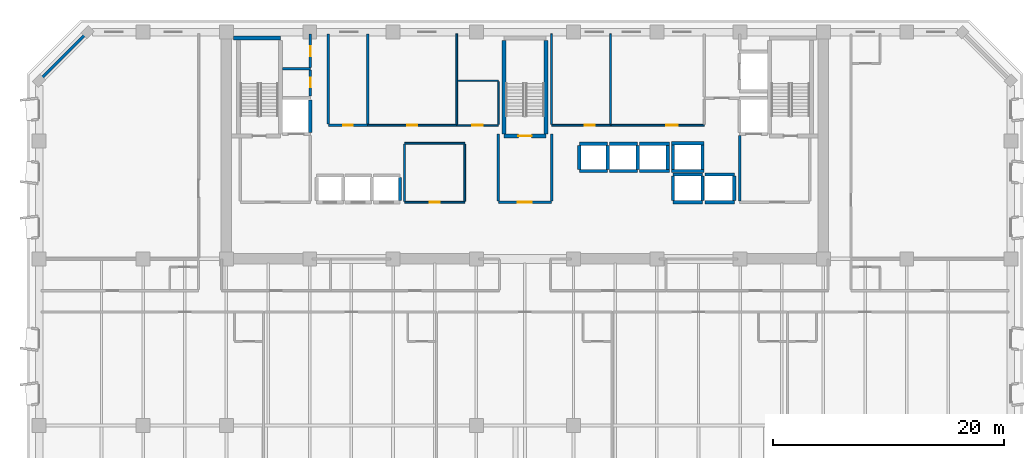
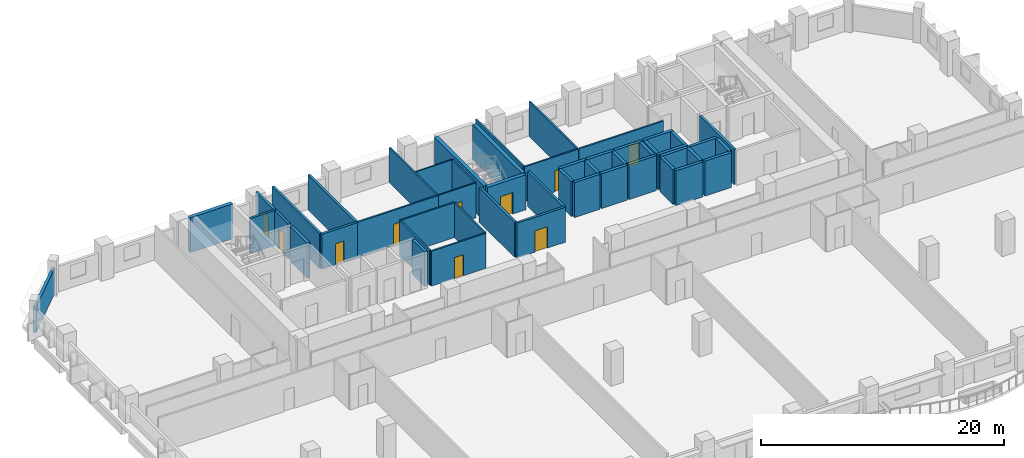
# One storey, part 7 of 14: 51 walls, 10 doors, 10 openings.
"""IFC4 building model written with IfcOpenShell, lengths in metres."""

from ifc_helpers import new_model, si_unit, direction, frame, frame_2d, origin, place, context, subcontext, project, spatial, rectangle, extrude, material, layer, layer_set, type_object, element, fill, save


model = new_model("IFC4")

# Units and contexts
model_context = context("Model", 3, precision=1e-05, world=origin(), true_north=direction((0.0, 1.0)))
body_context = subcontext(model_context, "Body", "Model", "MODEL_VIEW")
ifc_project = project(units=[si_unit("LENGTHUNIT", "METRE"), si_unit("AREAUNIT", "SQUARE_METRE"), si_unit("VOLUMEUNIT", "CUBIC_METRE"), si_unit("PLANEANGLEUNIT", "RADIAN"), si_unit("MASSUNIT", "GRAM", prefix="KILO")], contexts=[model_context])

# Site, building, storey
site_placement = place(None, origin())
site = spatial("IfcSite", under=ifc_project, at=site_placement, CompositionType="ELEMENT")
building_placement = place(site_placement, origin())
building = spatial("IfcBuilding", under=site, at=building_placement, Name="Kaelvorn Grand Hotel", CompositionType="ELEMENT")
storey_placement = place(building_placement, frame((0.0, 0.0, 126.800048828125)))
storey = spatial("IfcBuildingStorey", under=building, at=storey_placement, Name="L30", CompositionType="ELEMENT", Elevation=126.800048828125)

# Wall
ifc_material_1 = material(Name="Concrete C40/50", Category="concrete")
ifc_layer_1 = layer(ifc_material_1, 0.260009765625)
ifc_layer_set_1 = layer_set([ifc_layer_1], Name="Concrete C40/50")
wall_type_1 = type_object("IfcWallType", Name="WL-EXT-260-C40", PredefinedType="SOLIDWALL", material=ifc_layer_set_1)
wall_1_placement = place(storey_placement, frame((4.199951171875, 49.0, 0.0), z_axis=(0.0, 0.0, 1.0), x_axis=(-0.707106781187, -0.707106781187, 0.0)))
element("IfcWall", 1, at=wall_1_placement, inside=storey, type_object=wall_type_1, Name="L30 Exterior Architectural Concrete Wall 06", PredefinedType="SOLIDWALL", context=body_context, shape_type="SweptSolid", body=[
    extrude(rectangle(XDim=5.939697265625, YDim=0.260009765625, at=frame_2d((2.9697265625, 0.0))), origin(), (0.0, 0.0, 1.0), 2.56005859375),
])

# Wall, opening, door
ifc_material_2 = material(Name="Moisture-Resistant Tile & Stud Board")
ifc_layer_2 = layer(ifc_material_2, 0.125)
ifc_layer_set_2 = layer_set([ifc_layer_2], Name="Moisture-Resistant Tile & Stud Board")
wall_type_2 = type_object("IfcWallType", Name="WL-PART-125-WET", PredefinedType="PARTITIONING", material=ifc_layer_set_2)
wall_2_placement = place(storey_placement, frame((36.110107421875, 40.949951171875, 0.0), z_axis=(0.0, 0.0, 1.0), x_axis=(1.0, 0.0, 0.0)))
wall_2 = element("IfcWall", 2, at=wall_2_placement, inside=storey, type_object=wall_type_2, Name="L30 Accessible WC S Partition", PredefinedType="PARTITIONING", context=body_context, shape_type="SweptSolid", body=[
    extrude(rectangle(XDim=3.58984375, YDim=0.125, at=frame_2d((1.794921875, 0.0))), origin(), (0.0, 0.0, 1.0), 3.510009765625),
])
opening_1_placement = place(wall_2_placement, frame((1.340087890625, 0.0, 0.0)))
opening_1 = element("IfcOpeningElement", 3, at=opening_1_placement, cuts=wall_2, Name="Opening DI4", PredefinedType="OPENING", context=body_context, shape_type="SweptSolid", body=[
    extrude(rectangle(XDim=0.89990234375, YDim=2.10009765625, at=frame_2d((0.449951171875, 1.050048828125))), frame((0.0, 0.072509765625, 0.0), z_axis=(0.0, -1.0, 0.0), x_axis=(1.0, 0.0, 0.0)), (0.0, 0.0, 1.0), 0.14501953125),
])
ifc_material_3 = material(Name="Timber Veneer Leaf", Category="wood")
door_type_1 = type_object("IfcDoorType", Name="DR-INT-BATH-900x2100", OperationType="NOTDEFINED", PredefinedType="DOOR", material=ifc_material_3)
door_1_placement = place(opening_1_placement, origin())
door_1 = element("IfcDoor", 4, at=door_1_placement, inside=storey, type_object=door_type_1, Name="L30 Accessible WC Door", OperationType="SINGLE_SWING_RIGHT", OverallHeight=2.10009765625, OverallWidth=0.89990234375, PredefinedType="DOOR", context=body_context, shape_type="SweptSolid", body=[
    extrude(rectangle(XDim=0.89990234375, YDim=2.10009765625, at=frame_2d((0.449951171875, 1.050048828125))), frame((0.0, 0.02490234375, 0.0), z_axis=(0.0, -1.0, 0.0), x_axis=(1.0, 0.0, 0.0)), (0.0, 0.0, 1.0), 0.050048828125),
])
fill(opening_1, door_1)

# Walls
wall_3_placement = place(storey_placement, frame((36.179931640625, 44.800048828125, 0.0), z_axis=(0.0, 0.0, 1.0), x_axis=(1.0, 0.0, 0.0)))
element("IfcWall", 5, at=wall_3_placement, inside=storey, type_object=wall_type_2, Name="L30 Accessible WC N Partition", PredefinedType="PARTITIONING", context=body_context, shape_type="SweptSolid", body=[
    extrude(rectangle(XDim=3.52001953125, YDim=0.125, at=frame_2d((1.760009765625, 0.0))), origin(), (0.0, 0.0, 1.0), 3.510009765625),
])
wall_4_placement = place(storey_placement, frame((39.699951171875, 41.017578125, 0.0), z_axis=(0.0, 0.0, 1.0), x_axis=(0.0, 1.0, 0.0)))
element("IfcWall", 6, at=wall_4_placement, inside=storey, type_object=wall_type_2, Name="L30 Accessible WC E Partition", PredefinedType="PARTITIONING", context=body_context, shape_type="SweptSolid", body=[
    extrude(rectangle(XDim=3.71484375, YDim=0.125, at=frame_2d((1.857421875, 0.0))), origin(), (0.0, 0.0, 1.0), 3.510009765625),
])

# Wall, opening, door
ifc_material_4 = material(Name="Acoustic Gypsum & Stud Partition")
ifc_layer_3 = layer(ifc_material_4, 0.14990234375)
ifc_layer_set_3 = layer_set([ifc_layer_3], Name="Acoustic Gypsum & Stud Partition")
wall_type_3 = type_object("IfcWallType", Name="WL-PART-150-EI60", PredefinedType="PARTITIONING", material=ifc_layer_set_3)
wall_5_placement = place(storey_placement, frame((31.60009765625, 34.300048828125, 0.0), z_axis=(0.0, 0.0, 1.0), x_axis=(1.0, 0.0, 0.0)))
wall_5 = element("IfcWall", 7, at=wall_5_placement, inside=storey, type_object=wall_type_3, Name="L30 Core Telecoms & BMS Server Room S Partition", PredefinedType="PARTITIONING", context=body_context, shape_type="SweptSolid", body=[
    extrude(rectangle(XDim=5.199951171875, YDim=0.14990234375, at=frame_2d((2.60009765625, 0.0))), origin(), (0.0, 0.0, 1.0), 3.510009765625),
])
opening_2_placement = place(wall_5_placement, frame((2.175048828125, 0.0, 0.0)))
opening_2 = element("IfcOpeningElement", 8, at=opening_2_placement, cuts=wall_5, Name="Opening DI7", PredefinedType="OPENING", context=body_context, shape_type="SweptSolid", body=[
    extrude(rectangle(XDim=0.85009765625, YDim=2.10009765625, at=frame_2d((0.425048828125, 1.050048828125))), frame((0.0, 0.0849609375, 0.0), z_axis=(0.0, -1.0, 0.0), x_axis=(1.0, 0.0, 0.0)), (0.0, 0.0, 1.0), 0.169921875),
])
ifc_material_5 = material(Name="Powder-Coated Steel Leaf", Category="steel")
door_type_2 = type_object("IfcDoorType", Name="DR-INT-RISER-850x2100", OperationType="NOTDEFINED", PredefinedType="DOOR", material=ifc_material_5)
door_2_placement = place(opening_2_placement, origin())
door_2 = element("IfcDoor", 9, at=door_2_placement, inside=storey, type_object=door_type_2, Name="L30 Core Telecoms & BMS Server Room Door", OperationType="SINGLE_SWING_LEFT", OverallHeight=2.10009765625, OverallWidth=0.85009765625, PredefinedType="DOOR", context=body_context, shape_type="SweptSolid", body=[
    extrude(rectangle(XDim=0.85009765625, YDim=2.10009765625, at=frame_2d((0.425048828125, 1.050048828125))), frame((0.0, 0.02490234375, 0.0), z_axis=(0.0, -1.0, 0.0), x_axis=(1.0, 0.0, 0.0)), (0.0, 0.0, 1.0), 0.050048828125),
])
fill(opening_2, door_2)

# Walls
wall_6_placement = place(storey_placement, frame((31.60009765625, 39.39990234375, 0.0), z_axis=(0.0, 0.0, 1.0), x_axis=(1.0, 0.0, 0.0)))
element("IfcWall", 10, at=wall_6_placement, inside=storey, type_object=wall_type_3, Name="L30 Core Telecoms & BMS Server Room N Partition", PredefinedType="PARTITIONING", context=body_context, shape_type="SweptSolid", body=[
    extrude(rectangle(XDim=5.199951171875, YDim=0.14990234375, at=frame_2d((2.60009765625, 0.0))), origin(), (0.0, 0.0, 1.0), 3.510009765625),
])
for number, where, z_axis, x_axis, name in (
    (11, (31.60009765625, 34.3798828125, 0.0), (0.0, 0.0, 1.0), (0.0, 1.0, 0.0), "L30 Core Telecoms & BMS Server Room W Partition"),
    (12, (36.800048828125, 34.3798828125, 0.0), (0.0, 0.0, 1.0), (0.0, 1.0, 0.0), "L30 Core Telecoms & BMS Server Room E Partition"),
):
    element("IfcWall", number, at=place(storey_placement, frame(where, z_axis=z_axis, x_axis=x_axis)), inside=storey, type_object=wall_type_3, Name=name, PredefinedType="PARTITIONING", context=body_context, shape_type="SweptSolid", body=[
        extrude(rectangle(XDim=4.940185546875, YDim=0.14990234375, at=frame_2d((2.47021484375, 0.0))), origin(), (0.0, 0.0, 1.0), 3.510009765625),
    ])

# Wall, opening, door
wall_7_placement = place(storey_placement, frame((28.409912109375, 40.949951171875, 0.0), z_axis=(0.0, 0.0, 1.0), x_axis=(1.0, 0.0, 0.0)))
wall_7 = element("IfcWall", 13, at=wall_7_placement, inside=storey, type_object=wall_type_3, Name="L30 Housekeeping & Linen Room S Partition", PredefinedType="PARTITIONING", context=body_context, shape_type="SweptSolid", body=[
    extrude(rectangle(XDim=7.690185546875, YDim=0.14990234375, at=frame_2d((3.84521484375, 0.0))), origin(), (0.0, 0.0, 1.0), 3.510009765625),
])
opening_3_placement = place(wall_7_placement, frame((3.4150390625, 0.0, 0.0)))
opening_3 = element("IfcOpeningElement", 14, at=opening_3_placement, cuts=wall_7, Name="Opening DI7", PredefinedType="OPENING", context=body_context, shape_type="SweptSolid", body=[
    extrude(rectangle(XDim=0.85009765625, YDim=2.10009765625, at=frame_2d((0.425048828125, 1.050048828125))), frame((0.0, 0.0849609375, 0.0), z_axis=(0.0, -1.0, 0.0), x_axis=(1.0, 0.0, 0.0)), (0.0, 0.0, 1.0), 0.169921875),
])
door_3_placement = place(opening_3_placement, origin())
door_3 = element("IfcDoor", 15, at=door_3_placement, inside=storey, type_object=door_type_2, Name="L30 Housekeeping & Linen Room Door", OperationType="SINGLE_SWING_LEFT", OverallHeight=2.10009765625, OverallWidth=0.85009765625, PredefinedType="DOOR", context=body_context, shape_type="SweptSolid", body=[
    extrude(rectangle(XDim=0.85009765625, YDim=2.10009765625, at=frame_2d((0.425048828125, 1.050048828125))), frame((0.0, 0.02490234375, 0.0), z_axis=(0.0, -1.0, 0.0), x_axis=(1.0, 0.0, 0.0)), (0.0, 0.0, 1.0), 0.050048828125),
])
fill(opening_3, door_3)

# Wall
wall_8_placement = place(storey_placement, frame((36.10009765625, 41.030029296875, 0.0), z_axis=(0.0, 0.0, 1.0), x_axis=(0.0, 1.0, 0.0)))
element("IfcWall", 16, at=wall_8_placement, inside=storey, type_object=wall_type_3, Name="L30 Housekeeping & Linen Room E Partition", PredefinedType="PARTITIONING", context=body_context, shape_type="SweptSolid", body=[
    extrude(rectangle(XDim=7.820068359375, YDim=0.14990234375, at=frame_2d((3.91015625, 0.0))), origin(), (0.0, 0.0, 1.0), 3.510009765625),
])

# Wall, opening, door
wall_9_placement = place(storey_placement, frame((44.300048828125, 40.949951171875, 0.0), z_axis=(0.0, 0.0, 1.0), x_axis=(1.0, 0.0, 0.0)))
wall_9 = element("IfcWall", 17, at=wall_9_placement, inside=storey, type_object=wall_type_3, Name="L30 Laundry Chute Vestibule S Partition", PredefinedType="PARTITIONING", context=body_context, shape_type="SweptSolid", body=[
    extrude(rectangle(XDim=5.099853515625, YDim=0.14990234375, at=frame_2d((2.5498046875, 0.0))), origin(), (0.0, 0.0, 1.0), 3.510009765625),
])
opening_4_placement = place(wall_9_placement, frame((2.875, 0.0, 0.0)))
opening_4 = element("IfcOpeningElement", 18, at=opening_4_placement, cuts=wall_9, Name="Opening DI7", PredefinedType="OPENING", context=body_context, shape_type="SweptSolid", body=[
    extrude(rectangle(XDim=0.85009765625, YDim=2.10009765625, at=frame_2d((0.425048828125, 1.050048828125))), frame((0.0, 0.0849609375, 0.0), z_axis=(0.0, -1.0, 0.0), x_axis=(1.0, 0.0, 0.0)), (0.0, 0.0, 1.0), 0.169921875),
])
door_4_placement = place(opening_4_placement, origin())
door_4 = element("IfcDoor", 19, at=door_4_placement, inside=storey, type_object=door_type_2, Name="L30 Laundry Chute Vestibule Door", OperationType="SINGLE_SWING_LEFT", OverallHeight=2.10009765625, OverallWidth=0.85009765625, PredefinedType="DOOR", context=body_context, shape_type="SweptSolid", body=[
    extrude(rectangle(XDim=0.85009765625, YDim=2.10009765625, at=frame_2d((0.425048828125, 1.050048828125))), frame((0.0, 0.02490234375, 0.0), z_axis=(0.0, -1.0, 0.0), x_axis=(1.0, 0.0, 0.0)), (0.0, 0.0, 1.0), 0.050048828125),
])
fill(opening_4, door_4)

# Walls
for number, where, z_axis, x_axis, name in (
    (20, (44.300048828125, 41.030029296875, 0.0), (0.0, 0.0, 1.0), (0.0, 1.0, 0.0), "L30 Laundry Chute Vestibule W Partition"),
    (21, (49.39990234375, 41.030029296875, 0.0), (0.0, 0.0, 1.0), (0.0, 1.0, 0.0), "L30 Laundry Chute Vestibule E Partition"),
):
    element("IfcWall", number, at=place(storey_placement, frame(where, z_axis=z_axis, x_axis=x_axis)), inside=storey, type_object=wall_type_3, Name=name, PredefinedType="PARTITIONING", context=body_context, shape_type="SweptSolid", body=[
        extrude(rectangle(XDim=7.820068359375, YDim=0.14990234375, at=frame_2d((3.91015625, 0.0))), origin(), (0.0, 0.0, 1.0), 3.510009765625),
    ])

# Wall, opening, door
wall_10_placement = place(storey_placement, frame((49.47998046875, 40.949951171875, 0.0), z_axis=(0.0, 0.0, 1.0), x_axis=(1.0, 0.0, 0.0)))
wall_10 = element("IfcWall", 22, at=wall_10_placement, inside=storey, type_object=wall_type_3, Name="L30 Butler Servery Pantry S Partition", PredefinedType="PARTITIONING", context=body_context, shape_type="SweptSolid", body=[
    extrude(rectangle(XDim=8.02001953125, YDim=0.14990234375, at=frame_2d((4.010009765625, 0.0))), origin(), (0.0, 0.0, 1.0), 3.510009765625),
])
opening_5_placement = place(wall_10_placement, frame((4.719970703125, 0.0, 0.0)))
opening_5 = element("IfcOpeningElement", 23, at=opening_5_placement, cuts=wall_10, Name="Opening DI3", PredefinedType="OPENING", context=body_context, shape_type="SweptSolid", body=[
    extrude(rectangle(XDim=1.0, YDim=2.14990234375, at=frame_2d((0.5, 1.074951171875))), frame((0.0, 0.0849609375, 0.0), z_axis=(0.0, -1.0, 0.0), x_axis=(1.0, 0.0, 0.0)), (0.0, 0.0, 1.0), 0.169921875),
])
ifc_material_6 = material(Name="Timber Veneer Fire Leaf", Category="wood")
door_type_3 = type_object("IfcDoorType", Name="DR-INT-GUEST-1000x2150", OperationType="NOTDEFINED", PredefinedType="DOOR", material=ifc_material_6)
door_5_placement = place(opening_5_placement, origin())
door_5 = element("IfcDoor", 24, at=door_5_placement, inside=storey, type_object=door_type_3, Name="L30 Butler Servery Pantry Door", OperationType="SINGLE_SWING_RIGHT", OverallHeight=2.14990234375, OverallWidth=1.0, PredefinedType="DOOR", context=body_context, shape_type="SweptSolid", body=[
    extrude(rectangle(XDim=1.0, YDim=2.14990234375, at=frame_2d((0.5, 1.074951171875))), frame((0.0, 0.02490234375, 0.0), z_axis=(0.0, -1.0, 0.0), x_axis=(1.0, 0.0, 0.0)), (0.0, 0.0, 1.0), 0.050048828125),
])
fill(opening_5, door_5)

# Wall
ifc_layer_4 = layer(ifc_material_1, 0.219970703125)
ifc_layer_set_4 = layer_set([ifc_layer_4], Name="Concrete C40/50")
wall_type_4 = type_object("IfcWallType", Name="WL-PART-220-EI120", PredefinedType="PARTITIONING", material=ifc_layer_set_4)
wall_11_placement = place(storey_placement, frame((60.550048828125, 34.4150390625, 0.0), z_axis=(0.0, 0.0, 1.0), x_axis=(0.0, 1.0, 0.0)))
element("IfcWall", 25, at=wall_11_placement, inside=storey, type_object=wall_type_4, Name="L30 Firefighting Lift Lobby 2 W Partition", PredefinedType="PARTITIONING", context=body_context, shape_type="SweptSolid", body=[
    extrude(rectangle(XDim=5.639892578125, YDim=0.219970703125, at=frame_2d((2.81982421875, 0.0))), origin(), (0.0, 0.0, 1.0), 3.510009765625),
])

# Wall, opening, door
wall_12_placement = place(storey_placement, frame((39.699951171875, 34.300048828125, 0.0), z_axis=(0.0, 0.0, 1.0), x_axis=(1.0, 0.0, 0.0)))
wall_12 = element("IfcWall", 26, at=wall_12_placement, inside=storey, type_object=wall_type_4, Name="L30 Central Stair Escape Vestibule S Partition", PredefinedType="PARTITIONING", context=body_context, shape_type="SweptSolid", body=[
    extrude(rectangle(XDim=4.60009765625, YDim=0.219970703125, at=frame_2d((2.300048828125, 0.0))), origin(), (0.0, 0.0, 1.0), 3.510009765625),
])
opening_6_placement = place(wall_12_placement, frame((1.699951171875, 0.0, 0.0)))
opening_6 = element("IfcOpeningElement", 27, at=opening_6_placement, cuts=wall_12, Name="Opening DI2", PredefinedType="OPENING", context=body_context, shape_type="SweptSolid", body=[
    extrude(rectangle(XDim=1.199951171875, YDim=2.14990234375, at=frame_2d((0.60009765625, 1.074951171875))), frame((0.0, 0.1201171875, 0.0), z_axis=(0.0, -1.0, 0.0), x_axis=(1.0, 0.0, 0.0)), (0.0, 0.0, 1.0), 0.239990234375),
])
door_type_4 = type_object("IfcDoorType", Name="DR-INT-FFLOB-1200x2150", OperationType="NOTDEFINED", PredefinedType="DOOR", material=ifc_material_6)
door_6_placement = place(opening_6_placement, origin())
door_6 = element("IfcDoor", 28, at=door_6_placement, inside=storey, type_object=door_type_4, Name="L30 Central Stair Escape Vestibule Door", OperationType="SINGLE_SWING_LEFT", OverallHeight=2.14990234375, OverallWidth=1.199951171875, PredefinedType="DOOR", context=body_context, shape_type="SweptSolid", body=[
    extrude(rectangle(XDim=1.199951171875, YDim=2.14990234375, at=frame_2d((0.60009765625, 1.074951171875))), frame((0.0, 0.02490234375, 0.0), z_axis=(0.0, -1.0, 0.0), x_axis=(1.0, 0.0, 0.0)), (0.0, 0.0, 1.0), 0.050048828125),
])
fill(opening_6, door_6)

# Walls
for number, where, z_axis, x_axis, name in (
    (29, (39.699951171875, 34.4150390625, 0.0), (0.0, 0.0, 1.0), (0.0, 1.0, 0.0), "L30 Central Stair Escape Vestibule W Partition"),
    (30, (44.300048828125, 34.4150390625, 0.0), (0.0, 0.0, 1.0), (0.0, 1.0, 0.0), "L30 Central Stair Escape Vestibule E Partition"),
):
    element("IfcWall", number, at=place(storey_placement, frame(where, z_axis=z_axis, x_axis=x_axis)), inside=storey, type_object=wall_type_4, Name=name, PredefinedType="PARTITIONING", context=body_context, shape_type="SweptSolid", body=[
        extrude(rectangle(XDim=5.784912109375, YDim=0.219970703125, at=frame_2d((2.892578125, 0.0))), origin(), (0.0, 0.0, 1.0), 3.510009765625),
    ])
wall_13_placement = place(storey_placement, frame((21.034912109375, 45.85009765625, 0.0), z_axis=(0.0, 0.0, 1.0), x_axis=(1.0, 0.0, 0.0)))
element("IfcWall", 31, at=wall_13_placement, inside=storey, type_object=wall_type_4, Name="L30 Wet Fire & Plumbing Riser Shaft N Partition", PredefinedType="PARTITIONING", context=body_context, shape_type="SweptSolid", body=[
    extrude(rectangle(XDim=2.4150390625, YDim=0.219970703125, at=frame_2d((1.20751953125, 0.0))), origin(), (0.0, 0.0, 1.0), 3.510009765625),
])

# Wall, opening, door
wall_14_placement = place(storey_placement, frame((23.449951171875, 43.5, 0.0), z_axis=(0.0, 0.0, 1.0), x_axis=(0.0, 1.0, 0.0)))
wall_14 = element("IfcWall", 32, at=wall_14_placement, inside=storey, type_object=wall_type_4, Name="L30 Wet Fire & Plumbing Riser Shaft E Partition", PredefinedType="PARTITIONING", context=body_context, shape_type="SweptSolid", body=[
    extrude(rectangle(XDim=2.235107421875, YDim=0.219970703125, at=frame_2d((1.11767578125, 0.0))), origin(), (0.0, 0.0, 1.0), 3.510009765625),
])
opening_7_placement = place(wall_14_placement, frame((0.72509765625, 0.0, 0.0)))
opening_7 = element("IfcOpeningElement", 33, at=opening_7_placement, cuts=wall_14, Name="Opening DI7", PredefinedType="OPENING", context=body_context, shape_type="SweptSolid", body=[
    extrude(rectangle(XDim=0.85009765625, YDim=2.10009765625, at=frame_2d((0.425048828125, 1.050048828125))), frame((0.0, 0.1201171875, 0.0), z_axis=(0.0, -1.0, 0.0), x_axis=(1.0, 0.0, 0.0)), (0.0, 0.0, 1.0), 0.239990234375),
])
door_7_placement = place(opening_7_placement, origin())
door_7 = element("IfcDoor", 34, at=door_7_placement, inside=storey, type_object=door_type_2, Name="L30 Wet Fire & Plumbing Riser Shaft Door", OperationType="SINGLE_SWING_LEFT", OverallHeight=2.10009765625, OverallWidth=0.85009765625, PredefinedType="DOOR", context=body_context, shape_type="SweptSolid", body=[
    extrude(rectangle(XDim=0.85009765625, YDim=2.10009765625, at=frame_2d((0.425048828125, 1.050048828125))), frame((0.0, 0.02490234375, 0.0), z_axis=(0.0, -1.0, 0.0), x_axis=(1.0, 0.0, 0.0)), (0.0, 0.0, 1.0), 0.050048828125),
])
fill(opening_7, door_7)

wall_15_placement = place(storey_placement, frame((23.449951171875, 45.965087890625, 0.0), z_axis=(0.0, 0.0, 1.0), x_axis=(0.0, 1.0, 0.0)))
wall_15 = element("IfcWall", 35, at=wall_15_placement, inside=storey, type_object=wall_type_4, Name="L30 HV Electrical & Smoke Riser E Partition", PredefinedType="PARTITIONING", context=body_context, shape_type="SweptSolid", body=[
    extrude(rectangle(XDim=2.885009765625, YDim=0.219970703125, at=frame_2d((1.4423828125, 0.0))), origin(), (0.0, 0.0, 1.0), 3.510009765625),
])
opening_8_placement = place(wall_15_placement, frame((0.9599609375, 0.0, 0.0)))
opening_8 = element("IfcOpeningElement", 36, at=opening_8_placement, cuts=wall_15, Name="Opening DI7", PredefinedType="OPENING", context=body_context, shape_type="SweptSolid", body=[
    extrude(rectangle(XDim=0.85009765625, YDim=2.10009765625, at=frame_2d((0.425048828125, 1.050048828125))), frame((0.0, 0.1201171875, 0.0), z_axis=(0.0, -1.0, 0.0), x_axis=(1.0, 0.0, 0.0)), (0.0, 0.0, 1.0), 0.239990234375),
])
door_8_placement = place(opening_8_placement, origin())
door_8 = element("IfcDoor", 37, at=door_8_placement, inside=storey, type_object=door_type_2, Name="L30 HV Electrical & Smoke Riser Door", OperationType="SINGLE_SWING_RIGHT", OverallHeight=2.10009765625, OverallWidth=0.85009765625, PredefinedType="DOOR", context=body_context, shape_type="SweptSolid", body=[
    extrude(rectangle(XDim=0.85009765625, YDim=2.10009765625, at=frame_2d((0.425048828125, 1.050048828125))), frame((0.0, 0.02490234375, 0.0), z_axis=(0.0, -1.0, 0.0), x_axis=(1.0, 0.0, 0.0)), (0.0, 0.0, 1.0), 0.050048828125),
])
fill(opening_8, door_8)

wall_16_placement = place(storey_placement, frame((25.0, 40.949951171875, 0.0), z_axis=(0.0, 0.0, 1.0), x_axis=(1.0, 0.0, 0.0)))
wall_16 = element("IfcWall", 38, at=wall_16_placement, inside=storey, type_object=wall_type_4, Name="L30 Electrical Distribution Room S Partition", PredefinedType="PARTITIONING", context=body_context, shape_type="SweptSolid", body=[
    extrude(rectangle(XDim=3.39990234375, YDim=0.219970703125, at=frame_2d((1.699951171875, 0.0))), origin(), (0.0, 0.0, 1.0), 3.510009765625),
])
opening_9_placement = place(wall_16_placement, frame((1.27490234375, 0.0, 0.0)))
opening_9 = element("IfcOpeningElement", 39, at=opening_9_placement, cuts=wall_16, Name="Opening DI7", PredefinedType="OPENING", context=body_context, shape_type="SweptSolid", body=[
    extrude(rectangle(XDim=0.85009765625, YDim=2.10009765625, at=frame_2d((0.425048828125, 1.050048828125))), frame((0.0, 0.1201171875, 0.0), z_axis=(0.0, -1.0, 0.0), x_axis=(1.0, 0.0, 0.0)), (0.0, 0.0, 1.0), 0.239990234375),
])
door_9_placement = place(opening_9_placement, origin())
door_9 = element("IfcDoor", 40, at=door_9_placement, inside=storey, type_object=door_type_2, Name="L30 Electrical Distribution Room Door", OperationType="SINGLE_SWING_RIGHT", OverallHeight=2.10009765625, OverallWidth=0.85009765625, PredefinedType="DOOR", context=body_context, shape_type="SweptSolid", body=[
    extrude(rectangle(XDim=0.85009765625, YDim=2.10009765625, at=frame_2d((0.425048828125, 1.050048828125))), frame((0.0, 0.02490234375, 0.0), z_axis=(0.0, -1.0, 0.0), x_axis=(1.0, 0.0, 0.0)), (0.0, 0.0, 1.0), 0.050048828125),
])
fill(opening_9, door_9)

# Walls
for number, where, z_axis, x_axis, name in (
    (41, (25.0, 41.06494140625, 0.0), (0.0, 0.0, 1.0), (0.0, 1.0, 0.0), "L30 Electrical Distribution Room W Partition"),
    (42, (28.39990234375, 41.06494140625, 0.0), (0.0, 0.0, 1.0), (0.0, 1.0, 0.0), "L30 Electrical Distribution Room E Partition"),
):
    element("IfcWall", number, at=place(storey_placement, frame(where, z_axis=z_axis, x_axis=x_axis)), inside=storey, type_object=wall_type_4, Name=name, PredefinedType="PARTITIONING", context=body_context, shape_type="SweptSolid", body=[
        extrude(rectangle(XDim=7.78515625, YDim=0.219970703125, at=frame_2d((3.892578125, 0.0))), origin(), (0.0, 0.0, 1.0), 3.510009765625),
    ])
ifc_material_7 = material(Name="Concrete C50/60", Category="concrete")
ifc_layer_5 = layer(ifc_material_7, 0.280029296875)
ifc_layer_set_5 = layer_set([ifc_layer_5], Name="Concrete C50/60")
wall_type_5 = type_object("IfcWallType", Name="WL-SHAFT-280-C50", PredefinedType="SHEAR", material=ifc_layer_set_5)
wall_17_placement = place(storey_placement, frame((31.199951171875, 34.445068359375, 0.0), z_axis=(0.0, 0.0, 1.0), x_axis=(0.0, 1.0, 0.0)))
element("IfcWall", 43, at=wall_17_placement, inside=storey, type_object=wall_type_5, Name="L30 Lift PL-L3 Shaft East Wall", PredefinedType="SHEAR", context=body_context, shape_type="SweptSolid", body=[
    extrude(rectangle(XDim=2.010009765625, YDim=0.280029296875, at=frame_2d((1.0048828125, 0.0))), origin(), (0.0, 0.0, 1.0), 3.510009765625),
])
for number, where, z_axis, x_axis, name in (
    (44, (46.699951171875, 37.0, 0.0), (0.0, 0.0, 1.0), (1.0, 0.0, 0.0), "L30 Lift SL-1 Shaft South Wall"),
    (45, (46.699951171875, 39.35009765625, 0.0), (0.0, 0.0, 1.0), (1.0, 0.0, 0.0), "L30 Lift SL-1 Shaft North Wall"),
):
    element("IfcWall", number, at=place(storey_placement, frame(where, z_axis=z_axis, x_axis=x_axis)), inside=storey, type_object=wall_type_5, Name=name, PredefinedType="SHEAR", context=body_context, shape_type="SweptSolid", body=[
        extrude(rectangle(XDim=2.449951171875, YDim=0.280029296875, at=frame_2d((1.22509765625, 0.0))), origin(), (0.0, 0.0, 1.0), 3.510009765625),
    ])
for number, where, z_axis, x_axis, name in (
    (46, (46.699951171875, 37.14501953125, 0.0), (0.0, 0.0, 1.0), (0.0, 1.0, 0.0), "L30 Lift SL-1 Shaft West Wall"),
    (47, (49.14990234375, 37.14501953125, 0.0), (0.0, 0.0, 1.0), (0.0, 1.0, 0.0), "L30 Lift SL-1 Shaft East Wall"),
):
    element("IfcWall", number, at=place(storey_placement, frame(where, z_axis=z_axis, x_axis=x_axis)), inside=storey, type_object=wall_type_5, Name=name, PredefinedType="SHEAR", context=body_context, shape_type="SweptSolid", body=[
        extrude(rectangle(XDim=2.06005859375, YDim=0.280029296875, at=frame_2d((1.030029296875, 0.0))), origin(), (0.0, 0.0, 1.0), 3.510009765625),
    ])
for number, where, z_axis, x_axis, name in (
    (48, (49.300048828125, 37.0, 0.0), (0.0, 0.0, 1.0), (1.0, 0.0, 0.0), "L30 Lift SL-2 Shaft South Wall"),
    (49, (49.300048828125, 39.35009765625, 0.0), (0.0, 0.0, 1.0), (1.0, 0.0, 0.0), "L30 Lift SL-2 Shaft North Wall"),
):
    element("IfcWall", number, at=place(storey_placement, frame(where, z_axis=z_axis, x_axis=x_axis)), inside=storey, type_object=wall_type_5, Name=name, PredefinedType="SHEAR", context=body_context, shape_type="SweptSolid", body=[
        extrude(rectangle(XDim=2.449951171875, YDim=0.280029296875, at=frame_2d((1.22509765625, 0.0))), origin(), (0.0, 0.0, 1.0), 3.510009765625),
    ])
wall_18_placement = place(storey_placement, frame((51.75, 37.14501953125, 0.0), z_axis=(0.0, 0.0, 1.0), x_axis=(0.0, 1.0, 0.0)))
element("IfcWall", 50, at=wall_18_placement, inside=storey, type_object=wall_type_5, Name="L30 Lift SL-2 Shaft East Wall", PredefinedType="SHEAR", context=body_context, shape_type="SweptSolid", body=[
    extrude(rectangle(XDim=2.06005859375, YDim=0.280029296875, at=frame_2d((1.030029296875, 0.0))), origin(), (0.0, 0.0, 1.0), 3.510009765625),
])
for number, where, z_axis, x_axis, name in (
    (51, (51.89990234375, 37.0, 0.0), (0.0, 0.0, 1.0), (1.0, 0.0, 0.0), "L30 Lift SL-3 Shaft South Wall"),
    (52, (51.89990234375, 39.35009765625, 0.0), (0.0, 0.0, 1.0), (1.0, 0.0, 0.0), "L30 Lift SL-3 Shaft North Wall"),
):
    element("IfcWall", number, at=place(storey_placement, frame(where, z_axis=z_axis, x_axis=x_axis)), inside=storey, type_object=wall_type_5, Name=name, PredefinedType="SHEAR", context=body_context, shape_type="SweptSolid", body=[
        extrude(rectangle(XDim=2.590087890625, YDim=0.280029296875, at=frame_2d((1.294921875, 0.0))), origin(), (0.0, 0.0, 1.0), 3.510009765625),
    ])
wall_19_placement = place(storey_placement, frame((54.35009765625, 37.14501953125, 0.0), z_axis=(0.0, 0.0, 1.0), x_axis=(0.0, 1.0, 0.0)))
element("IfcWall", 53, at=wall_19_placement, inside=storey, type_object=wall_type_5, Name="L30 Lift SL-3 Shaft East Wall", PredefinedType="SHEAR", context=body_context, shape_type="SweptSolid", body=[
    extrude(rectangle(XDim=2.06005859375, YDim=0.280029296875, at=frame_2d((1.030029296875, 0.0))), origin(), (0.0, 0.0, 1.0), 3.510009765625),
])
for number, where, z_axis, x_axis, name in (
    (54, (54.800048828125, 34.300048828125, 0.0), (0.0, 0.0, 1.0), (1.0, 0.0, 0.0), "L30 Lift OL-1 Shaft South Wall"),
    (55, (54.800048828125, 36.699951171875, 0.0), (0.0, 0.0, 1.0), (1.0, 0.0, 0.0), "L30 Lift OL-1 Shaft North Wall"),
):
    element("IfcWall", number, at=place(storey_placement, frame(where, z_axis=z_axis, x_axis=x_axis)), inside=storey, type_object=wall_type_5, Name=name, PredefinedType="SHEAR", context=body_context, shape_type="SweptSolid", body=[
        extrude(rectangle(XDim=2.550048828125, YDim=0.280029296875, at=frame_2d((1.27490234375, 0.0))), origin(), (0.0, 0.0, 1.0), 3.510009765625),
    ])
for number, where, z_axis, x_axis, name in (
    (56, (54.800048828125, 34.445068359375, 0.0), (0.0, 0.0, 1.0), (0.0, 1.0, 0.0), "L30 Lift OL-1 Shaft West Wall"),
    (57, (57.35009765625, 34.445068359375, 0.0), (0.0, 0.0, 1.0), (0.0, 1.0, 0.0), "L30 Lift OL-1 Shaft East Wall"),
):
    element("IfcWall", number, at=place(storey_placement, frame(where, z_axis=z_axis, x_axis=x_axis)), inside=storey, type_object=wall_type_5, Name=name, PredefinedType="SHEAR", context=body_context, shape_type="SweptSolid", body=[
        extrude(rectangle(XDim=2.10986328125, YDim=0.280029296875, at=frame_2d((1.054931640625, 0.0))), origin(), (0.0, 0.0, 1.0), 3.510009765625),
    ])
for number, where, z_axis, x_axis, name in (
    (58, (57.550048828125, 34.300048828125, 0.0), (0.0, 0.0, 1.0), (1.0, 0.0, 0.0), "L30 Lift OL-2 Shaft South Wall"),
    (59, (57.550048828125, 36.699951171875, 0.0), (0.0, 0.0, 1.0), (1.0, 0.0, 0.0), "L30 Lift OL-2 Shaft North Wall"),
):
    element("IfcWall", number, at=place(storey_placement, frame(where, z_axis=z_axis, x_axis=x_axis)), inside=storey, type_object=wall_type_5, Name=name, PredefinedType="SHEAR", context=body_context, shape_type="SweptSolid", body=[
        extrude(rectangle(XDim=2.550048828125, YDim=0.280029296875, at=frame_2d((1.27490234375, 0.0))), origin(), (0.0, 0.0, 1.0), 3.510009765625),
    ])
wall_20_placement = place(storey_placement, frame((60.10009765625, 34.445068359375, 0.0), z_axis=(0.0, 0.0, 1.0), x_axis=(0.0, 1.0, 0.0)))
element("IfcWall", 60, at=wall_20_placement, inside=storey, type_object=wall_type_5, Name="L30 Lift OL-2 Shaft East Wall", PredefinedType="SHEAR", context=body_context, shape_type="SweptSolid", body=[
    extrude(rectangle(XDim=2.10986328125, YDim=0.280029296875, at=frame_2d((1.054931640625, 0.0))), origin(), (0.0, 0.0, 1.0), 3.510009765625),
])
for number, where, z_axis, x_axis, name in (
    (61, (54.659912109375, 37.0, 0.0), (0.0, 0.0, 1.0), (1.0, 0.0, 0.0), "L30 Lift OL-3 Shaft South Wall"),
    (62, (54.659912109375, 39.39990234375, 0.0), (0.0, 0.0, 1.0), (1.0, 0.0, 0.0), "L30 Lift OL-3 Shaft North Wall"),
):
    element("IfcWall", number, at=place(storey_placement, frame(where, z_axis=z_axis, x_axis=x_axis)), inside=storey, type_object=wall_type_5, Name=name, PredefinedType="SHEAR", context=body_context, shape_type="SweptSolid", body=[
        extrude(rectangle(XDim=2.830078125, YDim=0.280029296875, at=frame_2d((1.4150390625, 0.0))), origin(), (0.0, 0.0, 1.0), 3.510009765625),
    ])
for number, where, z_axis, x_axis, name in (
    (63, (54.800048828125, 37.14501953125, 0.0), (0.0, 0.0, 1.0), (0.0, 1.0, 0.0), "L30 Lift OL-3 Shaft West Wall"),
    (64, (57.35009765625, 37.14501953125, 0.0), (0.0, 0.0, 1.0), (0.0, 1.0, 0.0), "L30 Lift OL-3 Shaft East Wall"),
):
    element("IfcWall", number, at=place(storey_placement, frame(where, z_axis=z_axis, x_axis=x_axis)), inside=storey, type_object=wall_type_5, Name=name, PredefinedType="SHEAR", context=body_context, shape_type="SweptSolid", body=[
        extrude(rectangle(XDim=2.10986328125, YDim=0.280029296875, at=frame_2d((1.054931640625, 0.0))), origin(), (0.0, 0.0, 1.0), 3.510009765625),
    ])
wall_21_placement = place(storey_placement, frame((23.449951171875, 40.344970703125, 0.0), z_axis=(0.0, 0.0, 1.0), x_axis=(0.0, 1.0, 0.0)))
element("IfcWall", 65, at=wall_21_placement, inside=storey, type_object=wall_type_5, Name="L30 Lift FFL1 Shaft East Wall", PredefinedType="SHEAR", context=body_context, shape_type="SweptSolid", body=[
    extrude(rectangle(XDim=2.81005859375, YDim=0.280029296875, at=frame_2d((1.405029296875, 0.0))), origin(), (0.0, 0.0, 1.0), 3.510009765625),
])
ifc_material_8 = material(Name="Concrete C60/75", Category="concrete")
ifc_layer_6 = layer(ifc_material_8, 0.35009765625)
ifc_layer_set_6 = layer_set([ifc_layer_6], Name="Concrete C60/75")
wall_type_6 = type_object("IfcWallType", Name="WL-SHAFT-350-C60", PredefinedType="SHEAR", material=ifc_layer_set_6)
wall_22_placement = place(storey_placement, frame((16.804931640625, 48.47509765625, 0.0), z_axis=(0.0, 0.0, 1.0), x_axis=(1.0, 0.0, 0.0)))
element("IfcWall", 66, at=wall_22_placement, inside=storey, type_object=wall_type_6, Name="L30 ST1 Stair Shaft North Wall", PredefinedType="SHEAR", context=body_context, shape_type="SweptSolid", body=[
    extrude(rectangle(XDim=4.050048828125, YDim=0.35009765625, at=frame_2d((2.02490234375, 0.0))), origin(), (0.0, 0.0, 1.0), 3.510009765625),
])

# Wall, opening, door
wall_23_placement = place(storey_placement, frame((40.18505859375, 40.02490234375, 0.0), z_axis=(0.0, 0.0, 1.0), x_axis=(1.0, 0.0, 0.0)))
wall_23 = element("IfcWall", 67, at=wall_23_placement, inside=storey, type_object=wall_type_6, Name="L30 ST2 Stair Shaft South Wall", PredefinedType="SHEAR", context=body_context, shape_type="SweptSolid", body=[
    extrude(rectangle(XDim=3.6298828125, YDim=0.35009765625, at=frame_2d((1.81494140625, 0.0))), origin(), (0.0, 0.0, 1.0), 3.510009765625),
])
opening_10_placement = place(wall_23_placement, frame((1.239990234375, 0.0, 0.0)))
opening_10 = element("IfcOpeningElement", 68, at=opening_10_placement, cuts=wall_23, Name="Opening DI1", PredefinedType="OPENING", context=body_context, shape_type="SweptSolid", body=[
    extrude(rectangle(XDim=1.14990234375, YDim=2.14990234375, at=frame_2d((0.574951171875, 1.074951171875))), frame((0.0, 0.18505859375, 0.0), z_axis=(0.0, -1.0, 0.0), x_axis=(1.0, 0.0, 0.0)), (0.0, 0.0, 1.0), 0.3701171875),
])
door_type_5 = type_object("IfcDoorType", Name="DR-INT-STAIR-1150x2150", OperationType="NOTDEFINED", PredefinedType="DOOR", material=ifc_material_6)
door_10_placement = place(opening_10_placement, origin())
door_10 = element("IfcDoor", 69, at=door_10_placement, inside=storey, type_object=door_type_5, Name="L30 ST2 Exit Stair Fire Door", OperationType="SINGLE_SWING_LEFT", OverallHeight=2.14990234375, OverallWidth=1.14990234375, PredefinedType="DOOR", context=body_context, shape_type="SweptSolid", body=[
    extrude(rectangle(XDim=1.14990234375, YDim=2.14990234375, at=frame_2d((0.574951171875, 1.074951171875))), frame((0.0, 0.02490234375, 0.0), z_axis=(0.0, -1.0, 0.0), x_axis=(1.0, 0.0, 0.0)), (0.0, 0.0, 1.0), 0.050048828125),
])
fill(opening_10, door_10)

# Walls
for number, where, z_axis, x_axis, name in (
    (70, (40.18505859375, 40.205078125, 0.0), (0.0, 0.0, 1.0), (0.0, 1.0, 0.0), "L30 ST2 Stair Shaft West Wall"),
    (71, (43.81494140625, 40.205078125, 0.0), (0.0, 0.0, 1.0), (0.0, 1.0, 0.0), "L30 ST2 Stair Shaft East Wall"),
):
    element("IfcWall", number, at=place(storey_placement, frame(where, z_axis=z_axis, x_axis=x_axis)), inside=storey, type_object=wall_type_6, Name=name, PredefinedType="SHEAR", context=body_context, shape_type="SweptSolid", body=[
        extrude(rectangle(XDim=8.08984375, YDim=0.35009765625, at=frame_2d((4.044921875, 0.0))), origin(), (0.0, 0.0, 1.0), 3.510009765625),
    ])

save(model, "model.ifc")
